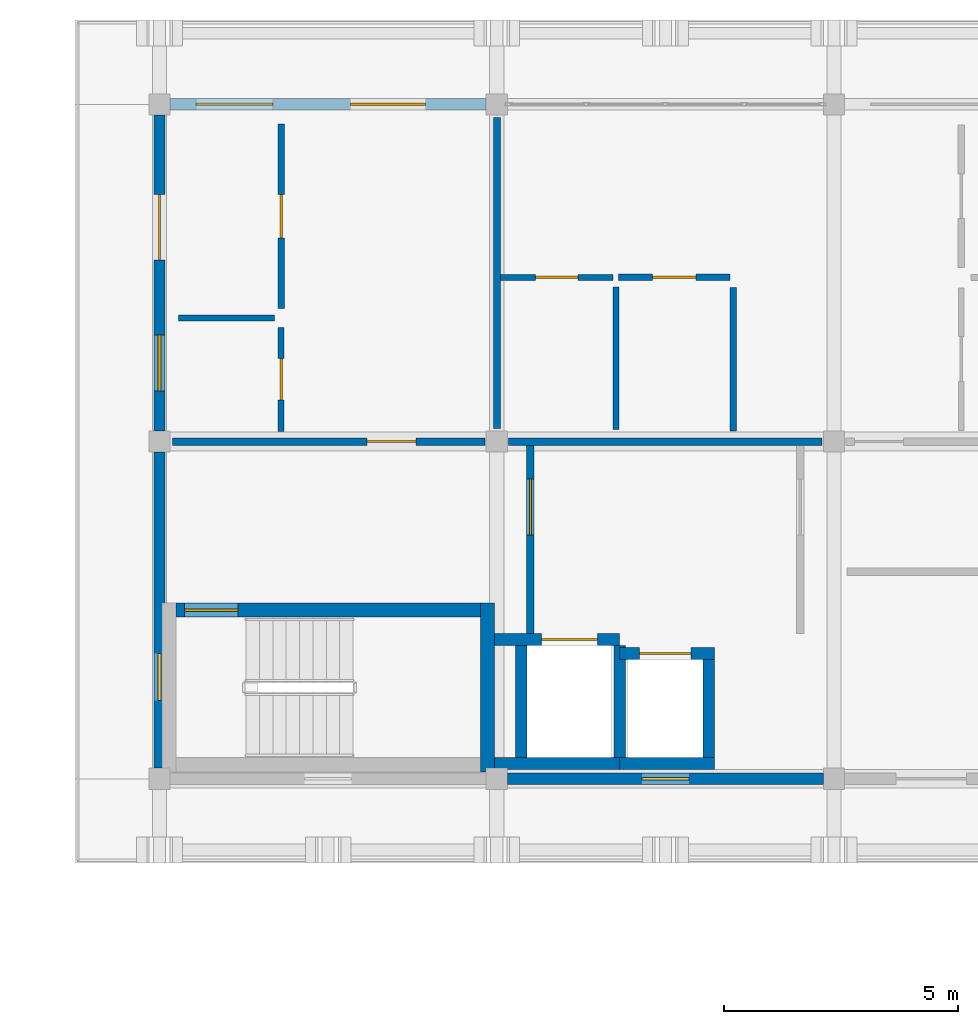
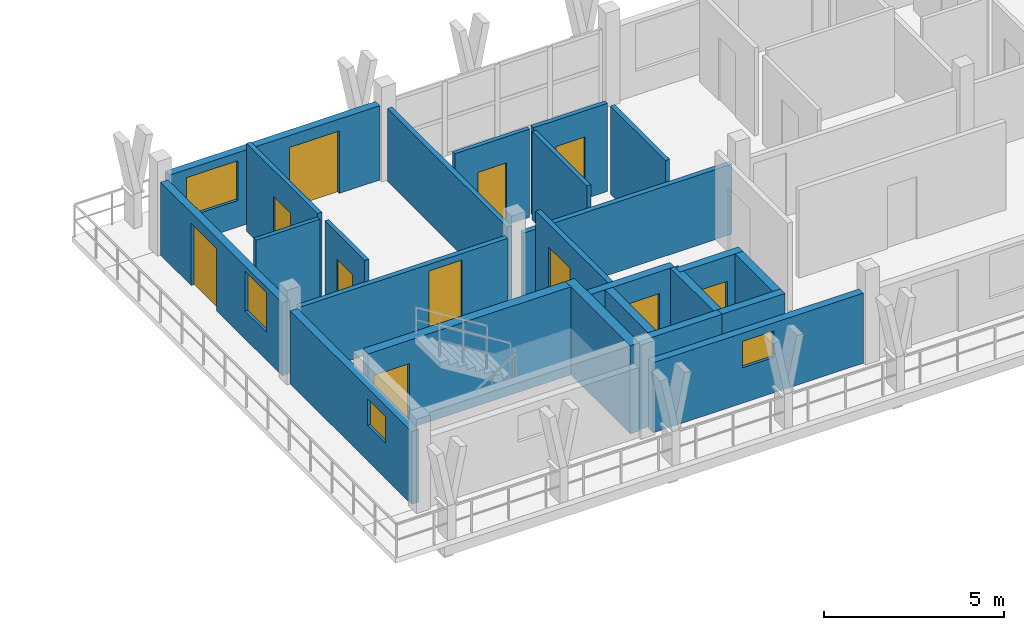
# One storey, part 31 of 45: 24 walls, 11 doors, 4 windows, 15 openings.
"""IFC4 building model written with IfcOpenShell, lengths in metres."""

from ifc_helpers import new_model, si_unit, direction, frame, frame_2d, origin, place, context, subcontext, project, spatial, rectangle, extrude, material, layer, layer_set, type_object, element, fill, save


model = new_model("IFC4")

# Units and contexts
model_context = context("Model", 3, precision=1e-05, world=origin(), true_north=direction((0.0, 1.0)))
body_context = subcontext(model_context, "Body", "Model", "MODEL_VIEW")
ifc_project = project(units=[si_unit("LENGTHUNIT", "METRE"), si_unit("AREAUNIT", "SQUARE_METRE"), si_unit("VOLUMEUNIT", "CUBIC_METRE"), si_unit("PLANEANGLEUNIT", "RADIAN"), si_unit("MASSUNIT", "GRAM", prefix="KILO")], contexts=[model_context])

# Site, building, storey
site_placement = place(None, origin())
site = spatial("IfcSite", under=ifc_project, at=site_placement, CompositionType="ELEMENT")
building_placement = place(site_placement, origin())
building = spatial("IfcBuilding", under=site, at=building_placement, Name="Suanplinth Sawtooth Commons", CompositionType="ELEMENT")
storey_placement = place(building_placement, frame((0.0, 0.0, 38.0)))
storey = spatial("IfcBuildingStorey", under=building, at=storey_placement, Name="L11", CompositionType="ELEMENT", Elevation=38.0)

# Wall, opening, door
ifc_material_1 = material(Name="Concrete C40/50", Category="concrete")
ifc_layer_1 = layer(ifc_material_1, 0.300048828125, Name="Standard RC stair and lift core wall 300mm")
ifc_layer_set_1 = layer_set([ifc_layer_1], Name="Concrete C40/50")
wall_type_1 = type_object("IfcWallType", Name="W-CR02", PredefinedType="SHEAR", material=ifc_layer_set_1)
wall_1_placement = place(storey_placement, frame((137.14990234375, 111.60009765625, 0.0), z_axis=(0.0, 0.0, 1.0), x_axis=(1.0, 0.0, 0.0)))
wall_1 = element("IfcWall", 1, at=wall_1_placement, inside=storey, type_object=wall_type_1, Name="W-L11-C-B1-STN", PredefinedType="SHEAR", context=body_context, shape_type="SweptSolid", body=[
    extrude(rectangle(XDim=6.5, YDim=0.300048828125, at=frame_2d((3.25, 0.0))), origin(), (0.0, 0.0, 1.0), 2.989990234375),
])
opening_1_placement = place(wall_1_placement, frame((0.179931640625, 0.0, 0.0)))
opening_1 = element("IfcOpeningElement", 2, at=opening_1_placement, cuts=wall_1, Name="Opening FD0214", PredefinedType="OPENING", context=body_context, shape_type="SweptSolid", body=[
    extrude(rectangle(XDim=1.14990234375, YDim=2.199951171875, at=frame_2d((0.574951171875, 1.10009765625))), frame((0.0, 0.1650390625, 0.0), z_axis=(0.0, -1.0, 0.0), x_axis=(1.0, 0.0, 0.0)), (0.0, 0.0, 1.0), 0.329833984375),
])
ifc_material_2 = material(Name="Teak hardwood fire-rated door assembly", Category="wood")
door_type_1 = type_object("IfcDoorType", Name="FD-01", OperationType="NOTDEFINED", PredefinedType="DOOR", material=ifc_material_2)
door_1_placement = place(opening_1_placement, frame((1.14990234375, 0.0, 0.0), z_axis=(0.0, 0.0, 1.0), x_axis=(-1.0, 0.0, 0.0)))
door_1 = element("IfcDoor", 3, at=door_1_placement, inside=storey, type_object=door_type_1, Name="Exit Stair Fire Door FD0214", OperationType="SINGLE_SWING_RIGHT", OverallHeight=2.199951171875, OverallWidth=1.14990234375, PredefinedType="DOOR", context=body_context, shape_type="SweptSolid", body=[
    extrude(rectangle(XDim=1.14990234375, YDim=2.199951171875, at=frame_2d((0.574951171875, 1.10009765625))), frame((0.0, 0.02490234375, 0.0), z_axis=(0.0, -1.0, 0.0), x_axis=(1.0, 0.0, 0.0)), (0.0, 0.0, 1.0), 0.050048828125),
])
fill(opening_1, door_1)

# Wall
wall_2_placement = place(storey_placement, frame((143.800048828125, 108.14990234375, 0.0), z_axis=(0.0, 0.0, 1.0), x_axis=(0.0, 1.0, 0.0)))
element("IfcWall", 4, at=wall_2_placement, inside=storey, type_object=wall_type_1, Name="W-L11-C-B1-STE", PredefinedType="SHEAR", context=body_context, shape_type="SweptSolid", body=[
    extrude(rectangle(XDim=3.60009765625, YDim=0.300048828125, at=frame_2d((1.800048828125, 0.0))), origin(), (0.0, 0.0, 1.0), 2.989990234375),
])

# Wall, opening, window
ifc_material_3 = material(Name="Precast concrete C40/50", Category="concrete")
ifc_layer_2 = layer(ifc_material_3, 0.239990234375, Name="Upper insulated precast facade wall 240mm")
ifc_layer_set_2 = layer_set([ifc_layer_2], Name="Precast concrete C40/50")
wall_type_2 = type_object("IfcWallType", Name="W-EX03", PredefinedType="ELEMENTEDWALL", material=ifc_layer_set_2)
wall_3_placement = place(storey_placement, frame((136.800048828125, 108.22509765625, 0.0), z_axis=(0.0, 0.0, 1.0), x_axis=(0.0, 1.0, 0.0)))
wall_3 = element("IfcWall", 5, at=wall_3_placement, inside=storey, type_object=wall_type_2, Name="Facade Wall W-L11-B-W-19-15", PredefinedType="ELEMENTEDWALL", context=body_context, shape_type="SweptSolid", body=[
    extrude(rectangle(XDim=6.75, YDim=0.239990234375, at=frame_2d((3.375, 0.0))), origin(), (0.0, 0.0, 1.0), 2.47509765625),
])
opening_2_placement = place(wall_3_placement, frame((1.449951171875, 0.0, 1.199951171875)))
opening_2 = element("IfcOpeningElement", 6, at=opening_2_placement, cuts=wall_3, Name="Opening W0874", PredefinedType="OPENING", context=body_context, shape_type="SweptSolid", body=[
    extrude(rectangle(XDim=1.0, YDim=0.89990234375, at=frame_2d((0.5, 0.449951171875))), frame((0.0, 0.134765625, 0.0), z_axis=(0.0, -1.0, 0.0), x_axis=(1.0, 0.0, 0.0)), (0.0, 0.0, 1.0), 0.269775390625),
])
ifc_material_4 = material(Name="Thermally broken aluminium and low-E double glazing", Category="aluminium")
window_type_1 = type_object("IfcWindowType", Name="WN-12", PartitioningType="SINGLE_PANEL", PredefinedType="WINDOW", material=ifc_material_4)
window_1_placement = place(opening_2_placement, origin())
window_1 = element("IfcWindow", 7, at=window_1_placement, inside=storey, type_object=window_type_1, Name="Core Daylight Window L11-B-19-15", OverallHeight=0.89990234375, OverallWidth=1.0, PartitioningType="SINGLE_PANEL", PredefinedType="WINDOW", context=body_context, shape_type="SweptSolid", body=[
    extrude(rectangle(XDim=1.0, YDim=0.89990234375, at=frame_2d((0.5, 0.449951171875))), frame((0.0, 0.030029296875, 0.0), z_axis=(0.0, -1.0, 0.0), x_axis=(1.0, 0.0, 0.0)), (0.0, 0.0, 1.0), 0.06005859375),
])
fill(opening_2, window_1)

# Wall, openings, door, window
wall_4_placement = place(storey_placement, frame((137.02490234375, 122.39990234375, 0.0), z_axis=(0.0, 0.0, 1.0), x_axis=(1.0, 0.0, 0.0)))
wall_4 = element("IfcWall", 8, at=wall_4_placement, inside=storey, type_object=wall_type_2, Name="Facade Wall W-L11-B-N-19-16", PredefinedType="ELEMENTEDWALL", context=body_context, shape_type="SweptSolid", body=[
    extrude(rectangle(XDim=6.75, YDim=0.239990234375, at=frame_2d((3.375, 0.0))), origin(), (0.0, 0.0, 1.0), 2.52490234375),
])
opening_3_placement = place(wall_4_placement, frame((3.85009765625, 0.0, 0.0)))
opening_3 = element("IfcOpeningElement", 9, at=opening_3_placement, cuts=wall_4, Name="Opening ED0793", PredefinedType="OPENING", context=body_context, shape_type="SweptSolid", body=[
    extrude(rectangle(XDim=1.60009765625, YDim=2.1201171875, at=frame_2d((0.800048828125, 1.06005859375))), frame((0.0, 0.134765625, 0.0), z_axis=(0.0, -1.0, 0.0), x_axis=(1.0, 0.0, 0.0)), (0.0, 0.0, 1.0), 0.269775390625),
])
opening_4_placement = place(wall_4_placement, frame((0.550048828125, 0.0, 0.89990234375)))
opening_4 = element("IfcOpeningElement", 10, at=opening_4_placement, cuts=wall_4, Name="Opening W0875", PredefinedType="OPENING", context=body_context, shape_type="SweptSolid", body=[
    extrude(rectangle(XDim=1.64990234375, YDim=1.35009765625, at=frame_2d((0.824951171875, 0.675048828125))), frame((0.0, 0.134765625, 0.0), z_axis=(0.0, -1.0, 0.0), x_axis=(1.0, 0.0, 0.0)), (0.0, 0.0, 1.0), 0.269775390625),
])
ifc_material_5 = material(Name="Anodized aluminium and low-E glass", Category="aluminium")
door_type_2 = type_object("IfcDoorType", Name="SD-02", OperationType="SLIDING_TO_RIGHT", PredefinedType="DOOR", material=ifc_material_5)
door_2_placement = place(opening_3_placement, frame((1.60009765625, 0.0, 0.0), z_axis=(0.0, 0.0, 1.0), x_axis=(-1.0, 0.0, 0.0)))
door_2 = element("IfcDoor", 11, at=door_2_placement, inside=storey, type_object=door_type_2, Name="Balcony Sliding Door L11-B-19", OperationType="SLIDING_TO_RIGHT", OverallHeight=2.1201171875, OverallWidth=1.60009765625, PredefinedType="DOOR", context=body_context, shape_type="SweptSolid", body=[
    extrude(rectangle(XDim=1.60009765625, YDim=2.1201171875, at=frame_2d((0.800048828125, 1.06005859375))), frame((0.0, 0.02490234375, 0.0), z_axis=(0.0, -1.0, 0.0), x_axis=(1.0, 0.0, 0.0)), (0.0, 0.0, 1.0), 0.050048828125),
])
fill(opening_3, door_2)
window_type_2 = type_object("IfcWindowType", Name="WN-19", PartitioningType="DOUBLE_PANEL_VERTICAL", PredefinedType="WINDOW", material=ifc_material_4)
window_2_placement = place(opening_4_placement, origin())
window_2 = element("IfcWindow", 12, at=window_2_placement, inside=storey, type_object=window_type_2, Name="Apartment Window L11-B-19", OverallHeight=1.35009765625, OverallWidth=1.64990234375, PartitioningType="DOUBLE_PANEL_VERTICAL", PredefinedType="WINDOW", context=body_context, shape_type="SweptSolid", body=[
    extrude(rectangle(XDim=1.64990234375, YDim=1.35009765625, at=frame_2d((0.824951171875, 0.675048828125))), frame((0.0, 0.030029296875, 0.0), z_axis=(0.0, -1.0, 0.0), x_axis=(1.0, 0.0, 0.0)), (0.0, 0.0, 1.0), 0.06005859375),
])
fill(opening_4, window_2)

wall_5_placement = place(storey_placement, frame((136.800048828125, 115.425048828125, 0.0), z_axis=(0.0, 0.0, 1.0), x_axis=(0.0, 1.0, 0.0)))
wall_5 = element("IfcWall", 13, at=wall_5_placement, inside=storey, type_object=wall_type_2, Name="Facade Wall W-L11-B-W-19-16", PredefinedType="ELEMENTEDWALL", context=body_context, shape_type="SweptSolid", body=[
    extrude(rectangle(XDim=6.75, YDim=0.239990234375, at=frame_2d((3.375, 0.0))), origin(), (0.0, 0.0, 1.0), 2.47509765625),
])
opening_5_placement = place(wall_5_placement, frame((3.64990234375, 0.0, 0.0)))
opening_5 = element("IfcOpeningElement", 14, at=opening_5_placement, cuts=wall_5, Name="Opening ED0794", PredefinedType="OPENING", context=body_context, shape_type="SweptSolid", body=[
    extrude(rectangle(XDim=1.39990234375, YDim=2.10009765625, at=frame_2d((0.699951171875, 1.050048828125))), frame((0.0, 0.134765625, 0.0), z_axis=(0.0, -1.0, 0.0), x_axis=(1.0, 0.0, 0.0)), (0.0, 0.0, 1.0), 0.269775390625),
])
opening_6_placement = place(wall_5_placement, frame((0.85009765625, 0.0, 0.949951171875)))
opening_6 = element("IfcOpeningElement", 15, at=opening_6_placement, cuts=wall_5, Name="Opening W0876", PredefinedType="OPENING", context=body_context, shape_type="SweptSolid", body=[
    extrude(rectangle(XDim=1.199951171875, YDim=1.35009765625, at=frame_2d((0.60009765625, 0.675048828125))), frame((0.0, 0.134765625, 0.0), z_axis=(0.0, -1.0, 0.0), x_axis=(1.0, 0.0, 0.0)), (0.0, 0.0, 1.0), 0.269775390625),
])
door_type_3 = type_object("IfcDoorType", Name="SD-07", OperationType="SLIDING_TO_RIGHT", PredefinedType="DOOR", material=ifc_material_5)
door_3_placement = place(opening_5_placement, frame((1.39990234375, 0.0, 0.0), z_axis=(0.0, 0.0, 1.0), x_axis=(-1.0, 0.0, 0.0)))
door_3 = element("IfcDoor", 16, at=door_3_placement, inside=storey, type_object=door_type_3, Name="End Balcony Sliding Door L11-B-W-19-16", OperationType="SLIDING_TO_RIGHT", OverallHeight=2.10009765625, OverallWidth=1.39990234375, PredefinedType="DOOR", context=body_context, shape_type="SweptSolid", body=[
    extrude(rectangle(XDim=1.39990234375, YDim=2.10009765625, at=frame_2d((0.699951171875, 1.050048828125))), frame((0.0, 0.02490234375, 0.0), z_axis=(0.0, -1.0, 0.0), x_axis=(1.0, 0.0, 0.0)), (0.0, 0.0, 1.0), 0.050048828125),
])
fill(opening_5, door_3)
window_type_3 = type_object("IfcWindowType", Name="WN-03", PartitioningType="SINGLE_PANEL", PredefinedType="WINDOW", material=ifc_material_4)
window_3_placement = place(opening_6_placement, origin())
window_3 = element("IfcWindow", 17, at=window_3_placement, inside=storey, type_object=window_type_3, Name="End Bedroom Window L11-B-19-16", OverallHeight=1.35009765625, OverallWidth=1.199951171875, PartitioningType="SINGLE_PANEL", PredefinedType="WINDOW", context=body_context, shape_type="SweptSolid", body=[
    extrude(rectangle(XDim=1.199951171875, YDim=1.35009765625, at=frame_2d((0.60009765625, 0.675048828125))), frame((0.0, 0.030029296875, 0.0), z_axis=(0.0, -1.0, 0.0), x_axis=(1.0, 0.0, 0.0)), (0.0, 0.0, 1.0), 0.06005859375),
])
fill(opening_6, window_3)

# Wall, opening, window
wall_6_placement = place(storey_placement, frame((144.22509765625, 108.0, 0.0), z_axis=(0.0, 0.0, 1.0), x_axis=(1.0, 0.0, 0.0)))
wall_6 = element("IfcWall", 18, at=wall_6_placement, inside=storey, type_object=wall_type_2, Name="Facade Wall W-L11-B-S-20-15", PredefinedType="ELEMENTEDWALL", context=body_context, shape_type="SweptSolid", body=[
    extrude(rectangle(XDim=6.75, YDim=0.239990234375, at=frame_2d((3.375, 0.0))), origin(), (0.0, 0.0, 1.0), 2.375),
])
opening_7_placement = place(wall_6_placement, frame((2.875, 0.0, 1.199951171875)))
opening_7 = element("IfcOpeningElement", 19, at=opening_7_placement, cuts=wall_6, Name="Opening W0877", PredefinedType="OPENING", context=body_context, shape_type="SweptSolid", body=[
    extrude(rectangle(XDim=1.0, YDim=0.89990234375, at=frame_2d((0.5, 0.449951171875))), frame((0.0, 0.134765625, 0.0), z_axis=(0.0, -1.0, 0.0), x_axis=(1.0, 0.0, 0.0)), (0.0, 0.0, 1.0), 0.269775390625),
])
window_4_placement = place(opening_7_placement, origin())
window_4 = element("IfcWindow", 20, at=window_4_placement, inside=storey, type_object=window_type_1, Name="Core Daylight Window L11-B-20-15", OverallHeight=0.89990234375, OverallWidth=1.0, PartitioningType="SINGLE_PANEL", PredefinedType="WINDOW", context=body_context, shape_type="SweptSolid", body=[
    extrude(rectangle(XDim=1.0, YDim=0.89990234375, at=frame_2d((0.5, 0.449951171875))), frame((0.0, 0.030029296875, 0.0), z_axis=(0.0, -1.0, 0.0), x_axis=(1.0, 0.0, 0.0)), (0.0, 0.0, 1.0), 0.06005859375),
])
fill(opening_7, window_4)

# Wall, opening, door
ifc_layer_3 = layer(ifc_material_3, 0.159912109375, Name="Fire-rated corridor and lobby wall 160mm")
ifc_layer_set_3 = layer_set([ifc_layer_3], Name="Precast concrete C40/50")
wall_type_3 = type_object("IfcWallType", Name="W-FW01", PredefinedType="PARTITIONING", material=ifc_layer_set_3)
wall_7_placement = place(storey_placement, frame((144.719970703125, 111.10009765625, 0.0), z_axis=(0.0, 0.0, 1.0), x_axis=(0.0, 1.0, 0.0)))
wall_7 = element("IfcWall", 21, at=wall_7_placement, inside=storey, type_object=wall_type_3, Name="W-L11-C-B1-LOB-W", PredefinedType="PARTITIONING", context=body_context, shape_type="SweptSolid", body=[
    extrude(rectangle(XDim=4.02001953125, YDim=0.159912109375, at=frame_2d((2.010009765625, 0.0))), origin(), (0.0, 0.0, 1.0), 2.989990234375),
])
opening_8_placement = place(wall_7_placement, frame((2.10009765625, 0.0, 0.0)))
opening_8 = element("IfcOpeningElement", 22, at=opening_8_placement, cuts=wall_7, Name="Opening FD0215", PredefinedType="OPENING", context=body_context, shape_type="SweptSolid", body=[
    extrude(rectangle(XDim=1.199951171875, YDim=2.199951171875, at=frame_2d((0.60009765625, 1.10009765625))), frame((0.0, 0.0947265625, 0.0), z_axis=(0.0, -1.0, 0.0), x_axis=(1.0, 0.0, 0.0)), (0.0, 0.0, 1.0), 0.189697265625),
])
door_type_4 = type_object("IfcDoorType", Name="FD-02", OperationType="NOTDEFINED", PredefinedType="DOOR", material=ifc_material_2)
door_4_placement = place(opening_8_placement, origin())
door_4 = element("IfcDoor", 23, at=door_4_placement, inside=storey, type_object=door_type_4, Name="Lobby Fire Door FD0215", OperationType="SINGLE_SWING_LEFT", OverallHeight=2.199951171875, OverallWidth=1.199951171875, PredefinedType="DOOR", context=body_context, shape_type="SweptSolid", body=[
    extrude(rectangle(XDim=1.199951171875, YDim=2.199951171875, at=frame_2d((0.60009765625, 1.10009765625))), frame((0.0, 0.02490234375, 0.0), z_axis=(0.0, -1.0, 0.0), x_axis=(1.0, 0.0, 0.0)), (0.0, 0.0, 1.0), 0.050048828125),
])
fill(opening_8, door_4)

wall_8_placement = place(storey_placement, frame((137.080078125, 115.199951171875, 0.0), z_axis=(0.0, 0.0, 1.0), x_axis=(1.0, 0.0, 0.0)))
wall_8 = element("IfcWall", 24, at=wall_8_placement, inside=storey, type_object=wall_type_3, Name="W-B-L11-U01-COR", PredefinedType="PARTITIONING", context=body_context, shape_type="SweptSolid", body=[
    extrude(rectangle(XDim=6.6650390625, YDim=0.159912109375, at=frame_2d((3.33251953125, 0.0))), origin(), (0.0, 0.0, 1.0), 2.375),
])
opening_9_placement = place(wall_8_placement, frame((4.14501953125, 0.0, 0.0)))
opening_9 = element("IfcOpeningElement", 25, at=opening_9_placement, cuts=wall_8, Name="Opening FD1957", PredefinedType="OPENING", context=body_context, shape_type="SweptSolid", body=[
    extrude(rectangle(XDim=1.050048828125, YDim=2.14990234375, at=frame_2d((0.52490234375, 1.074951171875))), frame((0.0, 0.0947265625, 0.0), z_axis=(0.0, -1.0, 0.0), x_axis=(1.0, 0.0, 0.0)), (0.0, 0.0, 1.0), 0.189697265625),
])
door_type_5 = type_object("IfcDoorType", Name="FD-04", OperationType="NOTDEFINED", PredefinedType="DOOR", material=ifc_material_2)
door_5_placement = place(opening_9_placement, origin())
door_5 = element("IfcDoor", 26, at=door_5_placement, inside=storey, type_object=door_type_5, Name="Unit Entrance Door FD1957", OperationType="SINGLE_SWING_LEFT", OverallHeight=2.14990234375, OverallWidth=1.050048828125, PredefinedType="DOOR", context=body_context, shape_type="SweptSolid", body=[
    extrude(rectangle(XDim=1.050048828125, YDim=2.14990234375, at=frame_2d((0.52490234375, 1.074951171875))), frame((0.0, 0.02490234375, 0.0), z_axis=(0.0, -1.0, 0.0), x_axis=(1.0, 0.0, 0.0)), (0.0, 0.0, 1.0), 0.050048828125),
])
fill(opening_9, door_5)

# Walls
wall_9_placement = place(storey_placement, frame((144.2548828125, 115.199951171875, 0.0), z_axis=(0.0, 0.0, 1.0), x_axis=(1.0, 0.0, 0.0)))
element("IfcWall", 27, at=wall_9_placement, inside=storey, type_object=wall_type_3, Name="W-B-L11-U02-COR-S1", PredefinedType="PARTITIONING", context=body_context, shape_type="SweptSolid", body=[
    extrude(rectangle(XDim=6.690185546875, YDim=0.159912109375, at=frame_2d((3.34521484375, 0.0))), origin(), (0.0, 0.0, 1.0), 2.375),
])
ifc_layer_4 = layer(ifc_material_3, 0.14990234375, Name="Acoustic precast party demising wall 150mm")
ifc_layer_set_4 = layer_set([ifc_layer_4], Name="Precast concrete C40/50")
wall_type_4 = type_object("IfcWallType", Name="W-FW02", PredefinedType="PARTITIONING", material=ifc_layer_set_4)
wall_10_placement = place(storey_placement, frame((144.0, 115.47998046875, 0.0), z_axis=(0.0, 0.0, 1.0), x_axis=(0.0, 1.0, 0.0)))
element("IfcWall", 28, at=wall_10_placement, inside=storey, type_object=wall_type_4, Name="W-B-L11-U01-PTY", PredefinedType="PARTITIONING", context=body_context, shape_type="SweptSolid", body=[
    extrude(rectangle(XDim=6.64013671875, YDim=0.14990234375, at=frame_2d((3.320068359375, 0.0))), origin(), (0.0, 0.0, 1.0), 2.47509765625),
])

# Wall, opening, door
ifc_material_6 = material(Name="Gypsum plasterboard on steel stud", Category="steel")
ifc_layer_5 = layer(ifc_material_6, 0.139892578125, Name="Fire-rated kitchen partition 140mm")
ifc_layer_set_5 = layer_set([ifc_layer_5], Name="Gypsum plasterboard on steel stud")
wall_type_5 = type_object("IfcWallType", Name="W-PT01", PredefinedType="PARTITIONING", material=ifc_layer_set_5)
wall_11_placement = place(storey_placement, frame((139.39501953125, 118.0400390625, 0.0), z_axis=(0.0, 0.0, 1.0), x_axis=(0.0, 1.0, 0.0)))
wall_11 = element("IfcWall", 29, at=wall_11_placement, inside=storey, type_object=wall_type_5, Name="W-B-L11-U01-KITE", PredefinedType="PARTITIONING", context=body_context, shape_type="SweptSolid", body=[
    extrude(rectangle(XDim=3.93994140625, YDim=0.139892578125, at=frame_2d((1.969970703125, 0.0))), origin(), (0.0, 0.0, 1.0), 2.989990234375),
])
opening_10_placement = place(wall_11_placement, frame((1.510009765625, 0.0, 0.0)))
opening_10 = element("IfcOpeningElement", 30, at=opening_10_placement, cuts=wall_11, Name="Opening D1959", PredefinedType="OPENING", context=body_context, shape_type="SweptSolid", body=[
    extrude(rectangle(XDim=0.919921875, YDim=2.10009765625, at=frame_2d((0.4599609375, 1.050048828125))), frame((0.0, 0.0849609375, 0.0), z_axis=(0.0, -1.0, 0.0), x_axis=(1.0, 0.0, 0.0)), (0.0, 0.0, 1.0), 0.169677734375),
])
ifc_material_7 = material(Name="Teak hardwood", Category="wood")
door_type_6 = type_object("IfcDoorType", Name="D-02", OperationType="NOTDEFINED", PredefinedType="DOOR", material=ifc_material_7)
door_6_placement = place(opening_10_placement, origin())
door_6 = element("IfcDoor", 31, at=door_6_placement, inside=storey, type_object=door_type_6, Name="Kitchen Door D1959", OperationType="SINGLE_SWING_LEFT", OverallHeight=2.10009765625, OverallWidth=0.919921875, PredefinedType="DOOR", context=body_context, shape_type="SweptSolid", body=[
    extrude(rectangle(XDim=0.919921875, YDim=2.10009765625, at=frame_2d((0.4599609375, 1.050048828125))), frame((0.0, 0.02490234375, 0.0), z_axis=(0.0, -1.0, 0.0), x_axis=(1.0, 0.0, 0.0)), (0.0, 0.0, 1.0), 0.050048828125),
])
fill(opening_10, door_6)

wall_12_placement = place(storey_placement, frame((146.60009765625, 118.7099609375, 0.0), z_axis=(0.0, 0.0, 1.0), x_axis=(1.0, 0.0, 0.0)))
wall_12 = element("IfcWall", 32, at=wall_12_placement, inside=storey, type_object=wall_type_5, Name="W-B-L11-U02-KIT1", PredefinedType="PARTITIONING", context=body_context, shape_type="SweptSolid", body=[
    extrude(rectangle(XDim=2.3798828125, YDim=0.139892578125, at=frame_2d((1.18994140625, 0.0))), origin(), (0.0, 0.0, 1.0), 2.989990234375),
])
opening_11_placement = place(wall_12_placement, frame((0.72998046875, 0.0, 0.0)))
opening_11 = element("IfcOpeningElement", 33, at=opening_11_placement, cuts=wall_12, Name="Opening D1962", PredefinedType="OPENING", context=body_context, shape_type="SweptSolid", body=[
    extrude(rectangle(XDim=0.919921875, YDim=2.10009765625, at=frame_2d((0.4599609375, 1.050048828125))), frame((0.0, 0.0849609375, 0.0), z_axis=(0.0, -1.0, 0.0), x_axis=(1.0, 0.0, 0.0)), (0.0, 0.0, 1.0), 0.169677734375),
])
door_7_placement = place(opening_11_placement, frame((0.919921875, 0.0, 0.0), z_axis=(0.0, 0.0, 1.0), x_axis=(-1.0, 0.0, 0.0)))
door_7 = element("IfcDoor", 34, at=door_7_placement, inside=storey, type_object=door_type_6, Name="Kitchen Door D1962", OperationType="SINGLE_SWING_RIGHT", OverallHeight=2.10009765625, OverallWidth=0.919921875, PredefinedType="DOOR", context=body_context, shape_type="SweptSolid", body=[
    extrude(rectangle(XDim=0.919921875, YDim=2.10009765625, at=frame_2d((0.4599609375, 1.050048828125))), frame((0.0, 0.02490234375, 0.0), z_axis=(0.0, -1.0, 0.0), x_axis=(1.0, 0.0, 0.0)), (0.0, 0.0, 1.0), 0.050048828125),
])
fill(opening_11, door_7)

# Walls
wall_13_placement = place(storey_placement, frame((149.050048828125, 115.429931640625, 0.0), z_axis=(0.0, 0.0, 1.0), x_axis=(0.0, 1.0, 0.0)))
element("IfcWall", 35, at=wall_13_placement, inside=storey, type_object=wall_type_5, Name="W-B-L11-U02-KIT2", PredefinedType="PARTITIONING", context=body_context, shape_type="SweptSolid", body=[
    extrude(rectangle(XDim=3.06005859375, YDim=0.139892578125, at=frame_2d((1.530029296875, 0.0))), origin(), (0.0, 0.0, 1.0), 2.989990234375),
])
ifc_layer_6 = layer(ifc_material_6, 0.1298828125, Name="Moisture-resistant bathroom partition 130mm")
ifc_layer_set_6 = layer_set([ifc_layer_6], Name="Gypsum plasterboard on steel stud")
wall_type_6 = type_object("IfcWallType", Name="W-PT02", PredefinedType="PARTITIONING", material=ifc_layer_set_6)
wall_14_placement = place(storey_placement, frame((137.199951171875, 117.840087890625, 0.0), z_axis=(0.0, 0.0, 1.0), x_axis=(1.0, 0.0, 0.0)))
element("IfcWall", 36, at=wall_14_placement, inside=storey, type_object=wall_type_6, Name="W-B-L11-U01-STDIV", PredefinedType="PARTITIONING", context=body_context, shape_type="SweptSolid", body=[
    extrude(rectangle(XDim=2.050048828125, YDim=0.1298828125, at=frame_2d((1.02490234375, 0.0))), origin(), (0.0, 0.0, 1.0), 2.989990234375),
])

# Wall, opening, door
wall_15_placement = place(storey_placement, frame((139.39501953125, 115.419921875, 0.0), z_axis=(0.0, 0.0, 1.0), x_axis=(0.0, 1.0, 0.0)))
wall_15 = element("IfcWall", 37, at=wall_15_placement, inside=storey, type_object=wall_type_6, Name="W-B-L11-U01-BTHE", PredefinedType="PARTITIONING", context=body_context, shape_type="SweptSolid", body=[
    extrude(rectangle(XDim=2.219970703125, YDim=0.1298828125, at=frame_2d((1.10986328125, 0.0))), origin(), (0.0, 0.0, 1.0), 2.989990234375),
])
opening_12_placement = place(wall_15_placement, frame((0.669921875, 0.0, 0.0)))
opening_12 = element("IfcOpeningElement", 38, at=opening_12_placement, cuts=wall_15, Name="Opening D1958", PredefinedType="OPENING", context=body_context, shape_type="SweptSolid", body=[
    extrude(rectangle(XDim=0.8798828125, YDim=2.10009765625, at=frame_2d((0.43994140625, 1.050048828125))), frame((0.0, 0.079833984375, 0.0), z_axis=(0.0, -1.0, 0.0), x_axis=(1.0, 0.0, 0.0)), (0.0, 0.0, 1.0), 0.15966796875),
])
door_type_7 = type_object("IfcDoorType", Name="D-14", OperationType="NOTDEFINED", PredefinedType="DOOR", material=ifc_material_7)
door_8_placement = place(opening_12_placement, origin())
door_8 = element("IfcDoor", 39, at=door_8_placement, inside=storey, type_object=door_type_7, Name="Bathroom Door D1958", OperationType="SINGLE_SWING_RIGHT", OverallHeight=2.10009765625, OverallWidth=0.8798828125, PredefinedType="DOOR", context=body_context, shape_type="SweptSolid", body=[
    extrude(rectangle(XDim=0.8798828125, YDim=2.10009765625, at=frame_2d((0.43994140625, 1.050048828125))), frame((0.0, 0.02490234375, 0.0), z_axis=(0.0, -1.0, 0.0), x_axis=(1.0, 0.0, 0.0)), (0.0, 0.0, 1.0), 0.050048828125),
])
fill(opening_12, door_8)

wall_16_placement = place(storey_placement, frame((144.080078125, 118.705078125, 0.0), z_axis=(0.0, 0.0, 1.0), x_axis=(1.0, 0.0, 0.0)))
wall_16 = element("IfcWall", 40, at=wall_16_placement, inside=storey, type_object=wall_type_6, Name="W-B-L11-U02-BTH1", PredefinedType="PARTITIONING", context=body_context, shape_type="SweptSolid", body=[
    extrude(rectangle(XDim=2.39990234375, YDim=0.1298828125, at=frame_2d((1.199951171875, 0.0))), origin(), (0.0, 0.0, 1.0), 2.989990234375),
])
opening_13_placement = place(wall_16_placement, frame((0.75, 0.0, 0.0)))
opening_13 = element("IfcOpeningElement", 41, at=opening_13_placement, cuts=wall_16, Name="Opening D1961", PredefinedType="OPENING", context=body_context, shape_type="SweptSolid", body=[
    extrude(rectangle(XDim=0.89990234375, YDim=2.10009765625, at=frame_2d((0.449951171875, 1.050048828125))), frame((0.0, 0.079833984375, 0.0), z_axis=(0.0, -1.0, 0.0), x_axis=(1.0, 0.0, 0.0)), (0.0, 0.0, 1.0), 0.15966796875),
])
door_type_8 = type_object("IfcDoorType", Name="D-01", OperationType="NOTDEFINED", PredefinedType="DOOR", material=ifc_material_7)
door_9_placement = place(opening_13_placement, frame((0.89990234375, 0.0, 0.0), z_axis=(0.0, 0.0, 1.0), x_axis=(-1.0, 0.0, 0.0)))
door_9 = element("IfcDoor", 42, at=door_9_placement, inside=storey, type_object=door_type_8, Name="Bathroom Door D1961", OperationType="SINGLE_SWING_LEFT", OverallHeight=2.10009765625, OverallWidth=0.89990234375, PredefinedType="DOOR", context=body_context, shape_type="SweptSolid", body=[
    extrude(rectangle(XDim=0.89990234375, YDim=2.10009765625, at=frame_2d((0.449951171875, 1.050048828125))), frame((0.0, 0.02490234375, 0.0), z_axis=(0.0, -1.0, 0.0), x_axis=(1.0, 0.0, 0.0)), (0.0, 0.0, 1.0), 0.050048828125),
])
fill(opening_13, door_9)

# Walls
wall_17_placement = place(storey_placement, frame((146.544921875, 115.4599609375, 0.0), z_axis=(0.0, 0.0, 1.0), x_axis=(0.0, 1.0, 0.0)))
element("IfcWall", 43, at=wall_17_placement, inside=storey, type_object=wall_type_6, Name="W-B-L11-U02-BTH2", PredefinedType="PARTITIONING", context=body_context, shape_type="SweptSolid", body=[
    extrude(rectangle(XDim=3.0400390625, YDim=0.1298828125, at=frame_2d((1.52001953125, 0.0))), origin(), (0.0, 0.0, 1.0), 2.989990234375),
])
ifc_layer_7 = layer(ifc_material_3, 0.25, Name="Precast structural shear wall 250mm")
ifc_layer_set_7 = layer_set([ifc_layer_7], Name="Precast concrete C40/50")
wall_type_7 = type_object("IfcWallType", Name="W-SH01", PredefinedType="SHEAR", material=ifc_layer_set_7)
wall_18_placement = place(storey_placement, frame((143.949951171875, 108.324951171875, 0.0), z_axis=(0.0, 0.0, 1.0), x_axis=(1.0, 0.0, 0.0)))
element("IfcWall", 44, at=wall_18_placement, inside=storey, type_object=wall_type_7, Name="W-L11-FL2-S", PredefinedType="SHEAR", context=body_context, shape_type="SweptSolid", body=[
    extrude(rectangle(XDim=2.675048828125, YDim=0.25, at=frame_2d((1.33740234375, 0.0))), origin(), (0.0, 0.0, 1.0), 2.989990234375),
])

# Wall, opening, door
wall_19_placement = place(storey_placement, frame((143.949951171875, 110.97509765625, 0.0), z_axis=(0.0, 0.0, 1.0), x_axis=(1.0, 0.0, 0.0)))
wall_19 = element("IfcWall", 45, at=wall_19_placement, inside=storey, type_object=wall_type_7, Name="W-L11-FL2-N", PredefinedType="SHEAR", context=body_context, shape_type="SweptSolid", body=[
    extrude(rectangle(XDim=2.675048828125, YDim=0.25, at=frame_2d((1.33740234375, 0.0))), origin(), (0.0, 0.0, 1.0), 2.989990234375),
])
opening_14_placement = place(wall_19_placement, frame((1.0, 0.0, 0.0)))
opening_14 = element("IfcOpeningElement", 46, at=opening_14_placement, cuts=wall_19, Name="Opening LD0217", PredefinedType="OPENING", context=body_context, shape_type="SweptSolid", body=[
    extrude(rectangle(XDim=1.199951171875, YDim=2.25, at=frame_2d((0.60009765625, 1.125))), frame((0.0, 0.139892578125, 0.0), z_axis=(0.0, -1.0, 0.0), x_axis=(1.0, 0.0, 0.0)), (0.0, 0.0, 1.0), 0.27978515625),
])
ifc_material_8 = material(Name="Stainless steel Grade 304", Category="steel")
door_type_9 = type_object("IfcDoorType", Name="LD-02", OperationType="SLIDING_TO_LEFT", PredefinedType="DOOR", material=ifc_material_8)
door_10_placement = place(opening_14_placement, origin())
door_10 = element("IfcDoor", 47, at=door_10_placement, inside=storey, type_object=door_type_9, Name="Lift Landing Sliding Door FL2 L11", OperationType="SLIDING_TO_LEFT", OverallHeight=2.25, OverallWidth=1.199951171875, PredefinedType="DOOR", context=body_context, shape_type="SweptSolid", body=[
    extrude(rectangle(XDim=1.199951171875, YDim=2.25, at=frame_2d((0.60009765625, 1.125))), frame((0.0, 0.02490234375, 0.0), z_axis=(0.0, -1.0, 0.0), x_axis=(1.0, 0.0, 0.0)), (0.0, 0.0, 1.0), 0.050048828125),
])
fill(opening_14, door_10)

# Walls
for number, where, z_axis, x_axis, name in (
    (48, (144.52490234375, 108.449951171875, 0.0), (0.0, 0.0, 1.0), (0.0, 1.0, 0.0), "W-L11-FL2-W"),
    (49, (146.625, 108.449951171875, 0.0), (0.0, 0.0, 1.0), (0.0, 1.0, 0.0), "W-L11-FL2-DIV"),
):
    element("IfcWall", number, at=place(storey_placement, frame(where, z_axis=z_axis, x_axis=x_axis)), inside=storey, type_object=wall_type_7, Name=name, PredefinedType="SHEAR", context=body_context, shape_type="SweptSolid", body=[
        extrude(rectangle(XDim=2.400146484375, YDim=0.25, at=frame_2d((1.2001953125, 0.0))), origin(), (0.0, 0.0, 1.0), 2.989990234375),
    ])
wall_20_placement = place(storey_placement, frame((146.625, 108.324951171875, 0.0), z_axis=(0.0, 0.0, 1.0), x_axis=(1.0, 0.0, 0.0)))
element("IfcWall", 50, at=wall_20_placement, inside=storey, type_object=wall_type_7, Name="W-L11-LF3-S", PredefinedType="SHEAR", context=body_context, shape_type="SweptSolid", body=[
    extrude(rectangle(XDim=2.02490234375, YDim=0.25, at=frame_2d((1.012451171875, 0.0))), origin(), (0.0, 0.0, 1.0), 2.989990234375),
])

# Wall, opening, door
wall_21_placement = place(storey_placement, frame((146.625, 110.675048828125, 0.0), z_axis=(0.0, 0.0, 1.0), x_axis=(1.0, 0.0, 0.0)))
wall_21 = element("IfcWall", 51, at=wall_21_placement, inside=storey, type_object=wall_type_7, Name="W-L11-LF3-N", PredefinedType="SHEAR", context=body_context, shape_type="SweptSolid", body=[
    extrude(rectangle(XDim=2.02490234375, YDim=0.25, at=frame_2d((1.012451171875, 0.0))), origin(), (0.0, 0.0, 1.0), 2.989990234375),
])
opening_15_placement = place(wall_21_placement, frame((0.425048828125, 0.0, 0.0)))
opening_15 = element("IfcOpeningElement", 52, at=opening_15_placement, cuts=wall_21, Name="Opening LD0218", PredefinedType="OPENING", context=body_context, shape_type="SweptSolid", body=[
    extrude(rectangle(XDim=1.10009765625, YDim=2.14990234375, at=frame_2d((0.550048828125, 1.074951171875))), frame((0.0, 0.139892578125, 0.0), z_axis=(0.0, -1.0, 0.0), x_axis=(1.0, 0.0, 0.0)), (0.0, 0.0, 1.0), 0.27978515625),
])
door_type_10 = type_object("IfcDoorType", Name="LD-01", OperationType="SLIDING_TO_LEFT", PredefinedType="DOOR", material=ifc_material_8)
door_11_placement = place(opening_15_placement, origin())
door_11 = element("IfcDoor", 53, at=door_11_placement, inside=storey, type_object=door_type_10, Name="Lift Landing Sliding Door LF3 L11", OperationType="SLIDING_TO_LEFT", OverallHeight=2.14990234375, OverallWidth=1.10009765625, PredefinedType="DOOR", context=body_context, shape_type="SweptSolid", body=[
    extrude(rectangle(XDim=1.10009765625, YDim=2.14990234375, at=frame_2d((0.550048828125, 1.074951171875))), frame((0.0, 0.02490234375, 0.0), z_axis=(0.0, -1.0, 0.0), x_axis=(1.0, 0.0, 0.0)), (0.0, 0.0, 1.0), 0.050048828125),
])
fill(opening_15, door_11)

# Wall
wall_22_placement = place(storey_placement, frame((148.52490234375, 108.449951171875, 0.0), z_axis=(0.0, 0.0, 1.0), x_axis=(0.0, 1.0, 0.0)))
element("IfcWall", 54, at=wall_22_placement, inside=storey, type_object=wall_type_7, Name="W-L11-LF3-E", PredefinedType="SHEAR", context=body_context, shape_type="SweptSolid", body=[
    extrude(rectangle(XDim=2.10009765625, YDim=0.25, at=frame_2d((1.050048828125, 0.0))), origin(), (0.0, 0.0, 1.0), 2.989990234375),
])

save(model, "model.ifc")
